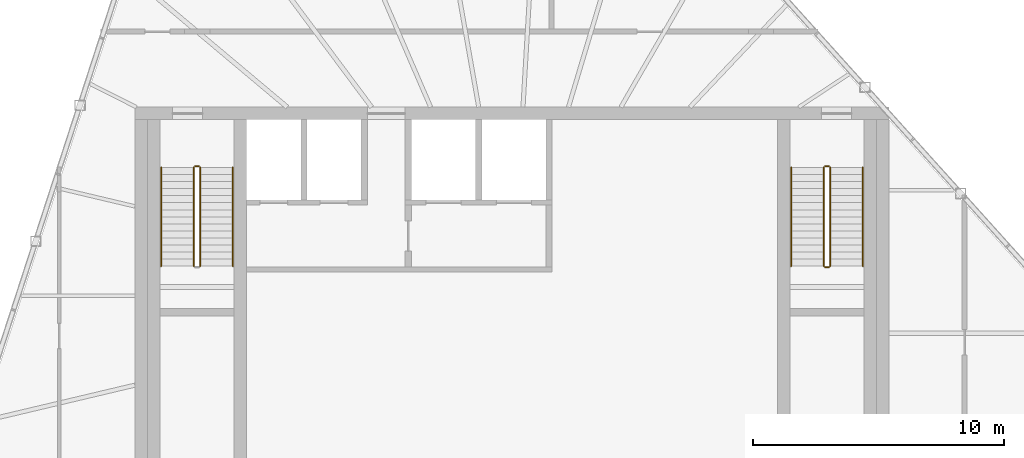
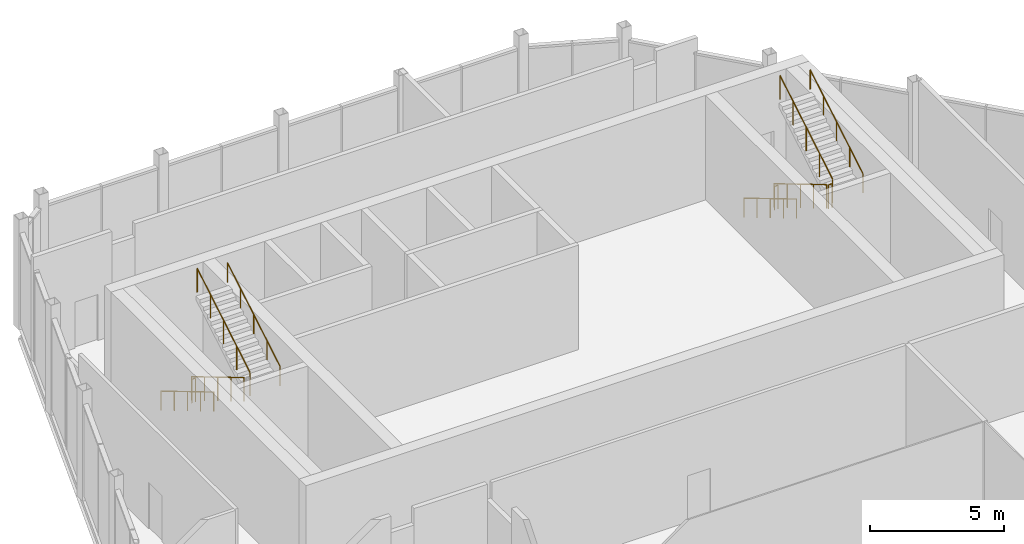
# One storey, part 12 of 12: 11 railings.
"""IFC4 building model written with IfcOpenShell, lengths in metres."""

from ifc_helpers import new_model, si_unit, direction, frame, origin, origin_2d, place, context, subcontext, project, spatial, circle, extrude, material, type_object, element, save


model = new_model("IFC4")

# Units and contexts
model_context = context("Model", 3, precision=1e-05, world=origin(), true_north=direction((0.0, 1.0)))
body_context = subcontext(model_context, "Body", "Model", "MODEL_VIEW")
ifc_project = project(units=[si_unit("LENGTHUNIT", "METRE"), si_unit("AREAUNIT", "SQUARE_METRE"), si_unit("VOLUMEUNIT", "CUBIC_METRE"), si_unit("PLANEANGLEUNIT", "RADIAN"), si_unit("MASSUNIT", "GRAM", prefix="KILO")], contexts=[model_context])

# Site, building, storey
site_placement = place(None, origin())
site = spatial("IfcSite", under=ifc_project, at=site_placement, CompositionType="ELEMENT")
building_placement = place(site_placement, origin())
building = spatial("IfcBuilding", under=site, at=building_placement, Name="Isthmus Gate Tower", CompositionType="ELEMENT")
storey_placement = place(building_placement, frame((0.0, 0.0, 306.10009765625)))
storey = spatial("IfcBuildingStorey", under=building, at=storey_placement, Name="C2", CompositionType="ELEMENT", Elevation=306.10009765625)

# Railings
ifc_material_1 = material(Name="Stainless steel balustrade", Category="steel")
railing_type_1 = type_object("IfcRailingType", Name="STAIR GUARD 1100", PredefinedType="GUARDRAIL", material=ifc_material_1)
railing_1_placement = place(storey_placement, frame((-12.64990234375, 12.60009765625, 0.16650390625)))
element("IfcRailing", 1, at=railing_1_placement, inside=storey, type_object=railing_type_1, Name="C2 ST1 stair guard 1", PredefinedType="GUARDRAIL", context=body_context, shape_type="SweptSolid", body=[
    extrude(circle(Radius=0.02392578125, at=origin_2d()), frame((0.0, 0.0, 1.076171875), z_axis=(0.0, -0.859286724212, 0.511494208758), x_axis=(1.0, 0.0, 0.0)), (0.0, 0.0, 1.0), 4.56201171875),
    extrude(circle(Radius=0.02099609375, at=origin_2d()), origin(), (0.0, 0.0, 1.0), 1.052001953125),
    extrude(circle(Radius=0.02099609375, at=origin_2d()), frame((0.0, -0.97998046875, 0.58349609375)), (0.0, 0.0, 1.0), 1.052001953125),
    extrude(circle(Radius=0.02099609375, at=origin_2d()), frame((0.0, -1.9599609375, 1.166748046875)), (0.0, 0.0, 1.0), 1.052001953125),
    extrude(circle(Radius=0.02099609375, at=origin_2d()), frame((0.0, -2.940185546875, 1.75)), (0.0, 0.0, 1.0), 1.052001953125),
    extrude(circle(Radius=0.02099609375, at=origin_2d()), frame((0.0, -3.920166015625, 2.33349609375)), (0.0, 0.0, 1.0), 1.052001953125),
])
railing_2_placement = place(storey_placement, frame((-12.39990234375, 8.679931640625, 2.66650390625)))
element("IfcRailing", 2, at=railing_2_placement, inside=storey, type_object=railing_type_1, Name="C2 ST1 stair guard 3", PredefinedType="GUARDRAIL", context=body_context, shape_type="SweptSolid", body=[
    extrude(circle(Radius=0.02392578125, at=origin_2d()), frame((0.0, 0.0, 1.076171875), z_axis=(0.0, 0.859286724212, 0.511494208758), x_axis=(-1.0, 0.0, 0.0)), (0.0, 0.0, 1.0), 4.56201171875),
    extrude(circle(Radius=0.02099609375, at=origin_2d()), origin(), (0.0, 0.0, 1.0), 1.052001953125),
    extrude(circle(Radius=0.02099609375, at=origin_2d()), frame((0.0, 0.97998046875, 0.58349609375)), (0.0, 0.0, 1.0), 1.052001953125),
    extrude(circle(Radius=0.02099609375, at=origin_2d()), frame((0.0, 1.9599609375, 1.166748046875)), (0.0, 0.0, 1.0), 1.052001953125),
    extrude(circle(Radius=0.02099609375, at=origin_2d()), frame((0.0, 2.940185546875, 1.75)), (0.0, 0.0, 1.0), 1.052001953125),
    extrude(circle(Radius=0.02099609375, at=origin_2d()), frame((0.0, 3.920166015625, 2.33349609375)), (0.0, 0.0, 1.0), 1.052001953125),
])
railing_3_placement = place(storey_placement, frame((-12.60009765625, 12.64990234375, 0.0)))
element("IfcRailing", 3, at=railing_3_placement, inside=storey, type_object=railing_type_1, Name="C2 ST1 stair guard 4", PredefinedType="GUARDRAIL", context=body_context, shape_type="SweptSolid", body=[
    extrude(circle(Radius=0.02392578125, at=origin_2d()), frame((0.0, 0.0, 1.076171875), z_axis=(1.0, 0.0, 0.0), x_axis=(0.0, 1.0, 0.0)), (0.0, 0.0, 1.0), 0.150146484375),
    extrude(circle(Radius=0.02099609375, at=origin_2d()), origin(), (0.0, 0.0, 1.0), 1.052001953125),
    extrude(circle(Radius=0.02099609375, at=origin_2d()), frame((0.150146484375, 0.0, 0.0)), (0.0, 0.0, 1.0), 1.052001953125),
])
railing_4_placement = place(storey_placement, frame((12.39990234375, 12.60009765625, 0.16650390625)))
element("IfcRailing", 4, at=railing_4_placement, inside=storey, type_object=railing_type_1, Name="C2 ST2 stair guard 1", PredefinedType="GUARDRAIL", context=body_context, shape_type="SweptSolid", body=[
    extrude(circle(Radius=0.02392578125, at=origin_2d()), frame((0.0, 0.0, 1.076171875), z_axis=(0.0, -0.859286724212, 0.511494208758), x_axis=(1.0, 0.0, 0.0)), (0.0, 0.0, 1.0), 4.56201171875),
    extrude(circle(Radius=0.02099609375, at=origin_2d()), origin(), (0.0, 0.0, 1.0), 1.052001953125),
    extrude(circle(Radius=0.02099609375, at=origin_2d()), frame((0.0, -0.97998046875, 0.58349609375)), (0.0, 0.0, 1.0), 1.052001953125),
    extrude(circle(Radius=0.02099609375, at=origin_2d()), frame((0.0, -1.9599609375, 1.166748046875)), (0.0, 0.0, 1.0), 1.052001953125),
    extrude(circle(Radius=0.02099609375, at=origin_2d()), frame((0.0, -2.940185546875, 1.75)), (0.0, 0.0, 1.0), 1.052001953125),
    extrude(circle(Radius=0.02099609375, at=origin_2d()), frame((0.0, -3.920166015625, 2.33349609375)), (0.0, 0.0, 1.0), 1.052001953125),
])
railing_5_placement = place(storey_placement, frame((12.449951171875, 8.6298828125, 2.5)))
element("IfcRailing", 5, at=railing_5_placement, inside=storey, type_object=railing_type_1, Name="C2 ST2 stair guard 2", PredefinedType="GUARDRAIL", context=body_context, shape_type="SweptSolid", body=[
    extrude(circle(Radius=0.02392578125, at=origin_2d()), frame((0.0, 0.0, 1.076171875), z_axis=(1.0, 0.0, 0.0), x_axis=(0.0, 1.0, 0.0)), (0.0, 0.0, 1.0), 0.150146484375),
    extrude(circle(Radius=0.02099609375, at=origin_2d()), origin(), (0.0, 0.0, 1.0), 1.052001953125),
    extrude(circle(Radius=0.02099609375, at=origin_2d()), frame((0.150146484375, 0.0, 0.0)), (0.0, 0.0, 1.0), 1.052001953125),
])
railing_6_placement = place(storey_placement, frame((12.64990234375, 8.679931640625, 2.66650390625)))
element("IfcRailing", 6, at=railing_6_placement, inside=storey, type_object=railing_type_1, Name="C2 ST2 stair guard 3", PredefinedType="GUARDRAIL", context=body_context, shape_type="SweptSolid", body=[
    extrude(circle(Radius=0.02392578125, at=origin_2d()), frame((0.0, 0.0, 1.076171875), z_axis=(0.0, 0.859286724212, 0.511494208758), x_axis=(-1.0, 0.0, 0.0)), (0.0, 0.0, 1.0), 4.56201171875),
    extrude(circle(Radius=0.02099609375, at=origin_2d()), origin(), (0.0, 0.0, 1.0), 1.052001953125),
    extrude(circle(Radius=0.02099609375, at=origin_2d()), frame((0.0, 0.97998046875, 0.58349609375)), (0.0, 0.0, 1.0), 1.052001953125),
    extrude(circle(Radius=0.02099609375, at=origin_2d()), frame((0.0, 1.9599609375, 1.166748046875)), (0.0, 0.0, 1.0), 1.052001953125),
    extrude(circle(Radius=0.02099609375, at=origin_2d()), frame((0.0, 2.940185546875, 1.75)), (0.0, 0.0, 1.0), 1.052001953125),
    extrude(circle(Radius=0.02099609375, at=origin_2d()), frame((0.0, 3.920166015625, 2.33349609375)), (0.0, 0.0, 1.0), 1.052001953125),
])
railing_7_placement = place(storey_placement, frame((12.449951171875, 12.64990234375, 0.0)))
element("IfcRailing", 7, at=railing_7_placement, inside=storey, type_object=railing_type_1, Name="C2 ST2 stair guard 4", PredefinedType="GUARDRAIL", context=body_context, shape_type="SweptSolid", body=[
    extrude(circle(Radius=0.02392578125, at=origin_2d()), frame((0.0, 0.0, 1.076171875), z_axis=(1.0, 0.0, 0.0), x_axis=(0.0, 1.0, 0.0)), (0.0, 0.0, 1.0), 0.150146484375),
    extrude(circle(Radius=0.02099609375, at=origin_2d()), origin(), (0.0, 0.0, 1.0), 1.052001953125),
    extrude(circle(Radius=0.02099609375, at=origin_2d()), frame((0.150146484375, 0.0, 0.0)), (0.0, 0.0, 1.0), 1.052001953125),
])
ifc_material_2 = material(Name="Stainless steel handrail", Category="steel")
railing_type_2 = type_object("IfcRailingType", Name="STAIR HANDRAIL 900", PredefinedType="HANDRAIL", material=ifc_material_2)
railing_8_placement = place(storey_placement, frame((-13.949951171875, 12.60009765625, 0.16650390625)))
element("IfcRailing", 8, at=railing_8_placement, inside=storey, type_object=railing_type_2, Name="C2 ST1 stair handrail 1", PredefinedType="HANDRAIL", context=body_context, shape_type="SweptSolid", body=[
    extrude(circle(Radius=0.02392578125, at=origin_2d()), frame((0.0, 0.0, 0.8759765625), z_axis=(0.0, -0.859286724212, 0.511494208758), x_axis=(1.0, 0.0, 0.0)), (0.0, 0.0, 1.0), 4.56201171875),
    extrude(circle(Radius=0.02099609375, at=origin_2d()), origin(), (0.0, 0.0, 1.0), 0.851806640625),
    extrude(circle(Radius=0.02099609375, at=origin_2d()), frame((0.0, -0.97998046875, 0.58349609375)), (0.0, 0.0, 1.0), 0.851806640625),
    extrude(circle(Radius=0.02099609375, at=origin_2d()), frame((0.0, -1.9599609375, 1.166748046875)), (0.0, 0.0, 1.0), 0.851806640625),
    extrude(circle(Radius=0.02099609375, at=origin_2d()), frame((0.0, -2.940185546875, 1.75)), (0.0, 0.0, 1.0), 0.851806640625),
    extrude(circle(Radius=0.02099609375, at=origin_2d()), frame((0.0, -3.920166015625, 2.33349609375)), (0.0, 0.0, 1.0), 0.851806640625),
])
railing_9_placement = place(storey_placement, frame((-11.10009765625, 8.679931640625, 2.66650390625)))
element("IfcRailing", 9, at=railing_9_placement, inside=storey, type_object=railing_type_2, Name="C2 ST1 stair handrail 2", PredefinedType="HANDRAIL", context=body_context, shape_type="SweptSolid", body=[
    extrude(circle(Radius=0.02392578125, at=origin_2d()), frame((0.0, 0.0, 0.8759765625), z_axis=(0.0, 0.859286724212, 0.511494208758), x_axis=(-1.0, 0.0, 0.0)), (0.0, 0.0, 1.0), 4.56201171875),
    extrude(circle(Radius=0.02099609375, at=origin_2d()), origin(), (0.0, 0.0, 1.0), 0.851806640625),
    extrude(circle(Radius=0.02099609375, at=origin_2d()), frame((0.0, 0.97998046875, 0.58349609375)), (0.0, 0.0, 1.0), 0.851806640625),
    extrude(circle(Radius=0.02099609375, at=origin_2d()), frame((0.0, 1.9599609375, 1.166748046875)), (0.0, 0.0, 1.0), 0.851806640625),
    extrude(circle(Radius=0.02099609375, at=origin_2d()), frame((0.0, 2.940185546875, 1.75)), (0.0, 0.0, 1.0), 0.851806640625),
    extrude(circle(Radius=0.02099609375, at=origin_2d()), frame((0.0, 3.920166015625, 2.33349609375)), (0.0, 0.0, 1.0), 0.851806640625),
])
railing_10_placement = place(storey_placement, frame((11.10009765625, 12.60009765625, 0.16650390625)))
element("IfcRailing", 10, at=railing_10_placement, inside=storey, type_object=railing_type_2, Name="C2 ST2 stair handrail 1", PredefinedType="HANDRAIL", context=body_context, shape_type="SweptSolid", body=[
    extrude(circle(Radius=0.02392578125, at=origin_2d()), frame((0.0, 0.0, 0.8759765625), z_axis=(0.0, -0.859286724212, 0.511494208758), x_axis=(1.0, 0.0, 0.0)), (0.0, 0.0, 1.0), 4.56201171875),
    extrude(circle(Radius=0.02099609375, at=origin_2d()), origin(), (0.0, 0.0, 1.0), 0.851806640625),
    extrude(circle(Radius=0.02099609375, at=origin_2d()), frame((0.0, -0.97998046875, 0.58349609375)), (0.0, 0.0, 1.0), 0.851806640625),
    extrude(circle(Radius=0.02099609375, at=origin_2d()), frame((0.0, -1.9599609375, 1.166748046875)), (0.0, 0.0, 1.0), 0.851806640625),
    extrude(circle(Radius=0.02099609375, at=origin_2d()), frame((0.0, -2.940185546875, 1.75)), (0.0, 0.0, 1.0), 0.851806640625),
    extrude(circle(Radius=0.02099609375, at=origin_2d()), frame((0.0, -3.920166015625, 2.33349609375)), (0.0, 0.0, 1.0), 0.851806640625),
])
railing_11_placement = place(storey_placement, frame((13.949951171875, 8.679931640625, 2.66650390625)))
element("IfcRailing", 11, at=railing_11_placement, inside=storey, type_object=railing_type_2, Name="C2 ST2 stair handrail 2", PredefinedType="HANDRAIL", context=body_context, shape_type="SweptSolid", body=[
    extrude(circle(Radius=0.02392578125, at=origin_2d()), frame((0.0, 0.0, 0.8759765625), z_axis=(0.0, 0.859286724212, 0.511494208758), x_axis=(-1.0, 0.0, 0.0)), (0.0, 0.0, 1.0), 4.56201171875),
    extrude(circle(Radius=0.02099609375, at=origin_2d()), origin(), (0.0, 0.0, 1.0), 0.851806640625),
    extrude(circle(Radius=0.02099609375, at=origin_2d()), frame((0.0, 0.97998046875, 0.58349609375)), (0.0, 0.0, 1.0), 0.851806640625),
    extrude(circle(Radius=0.02099609375, at=origin_2d()), frame((0.0, 1.9599609375, 1.166748046875)), (0.0, 0.0, 1.0), 0.851806640625),
    extrude(circle(Radius=0.02099609375, at=origin_2d()), frame((0.0, 2.940185546875, 1.75)), (0.0, 0.0, 1.0), 0.851806640625),
    extrude(circle(Radius=0.02099609375, at=origin_2d()), frame((0.0, 3.920166015625, 2.33349609375)), (0.0, 0.0, 1.0), 0.851806640625),
])

save(model, "model.ifc")
